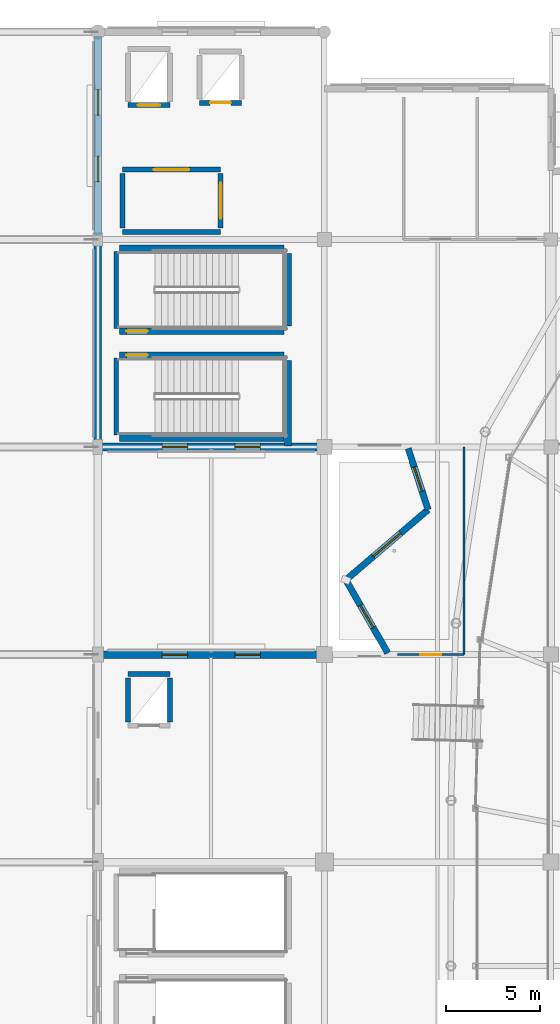
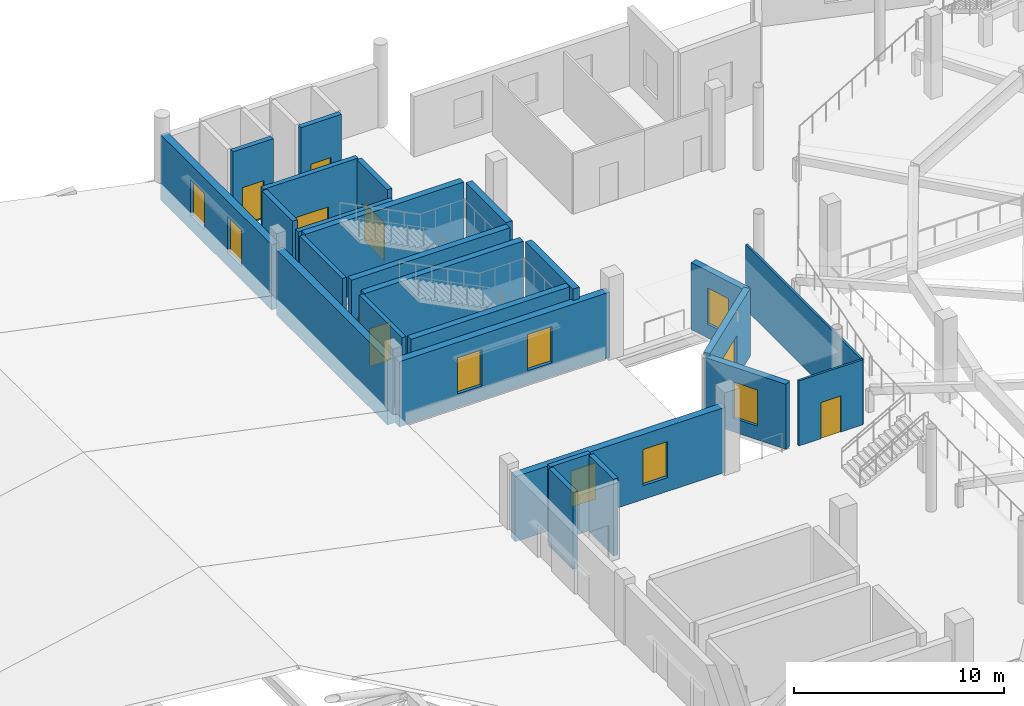
# One storey, part 54 of 77: 26 walls, 9 windows, 7 doors, 16 openings.
"""IFC4 building model written with IfcOpenShell, lengths in metres."""

from ifc_helpers import new_model, si_unit, direction, frame, frame_2d, origin, place, context, subcontext, project, spatial, rectangle, extrude, material, layer, layer_set, type_object, element, fill, save


model = new_model("IFC4")

# Units and contexts
model_context = context("Model", 3, precision=1e-05, world=origin(), true_north=direction((0.0, 1.0)))
body_context = subcontext(model_context, "Body", "Model", "MODEL_VIEW")
ifc_project = project(units=[si_unit("LENGTHUNIT", "METRE"), si_unit("AREAUNIT", "SQUARE_METRE"), si_unit("VOLUMEUNIT", "CUBIC_METRE"), si_unit("PLANEANGLEUNIT", "RADIAN"), si_unit("MASSUNIT", "GRAM", prefix="KILO")], contexts=[model_context])

# Site, building, storey
site_placement = place(None, origin())
site = spatial("IfcSite", under=ifc_project, at=site_placement, CompositionType="ELEMENT")
building_placement = place(site_placement, origin())
building = spatial("IfcBuilding", under=site, at=building_placement, Name="Luwafu Chhajja Arena", CompositionType="ELEMENT")
storey_placement = place(building_placement, frame((0.0, 0.0, 14.699951171875)))
storey = spatial("IfcBuildingStorey", under=building, at=storey_placement, Name="L03", CompositionType="ELEMENT", Elevation=14.699951171875)

# Wall, opening, door
ifc_material_1 = material(Name="Concrete C40/50", Category="concrete")
ifc_layer_1 = layer(ifc_material_1, 0.260009765625, Name="Concrete C40/50")
ifc_layer_set_1 = layer_set([ifc_layer_1], Name="Concrete C40/50")
wall_type_1 = type_object("IfcWallType", Name="Firefighting Lobby Wall 260", PredefinedType="SOLIDWALL", material=ifc_layer_set_1)
wall_1_placement = place(storey_placement, frame((35.300048828125, 91.699951171875, 0.0), z_axis=(0.0, 0.0, 1.0), x_axis=(1.0, 0.0, 0.0)))
wall_1 = element("IfcWall", 1, at=wall_1_placement, inside=storey, type_object=wall_type_1, Name="L03 Core C3 Firefighting Lobby Wall N", PredefinedType="SOLIDWALL", context=body_context, shape_type="SweptSolid", body=[
    extrude(rectangle(XDim=5.199951171875, YDim=0.260009765625, at=frame_2d((2.60009765625, 0.0))), origin(), (0.0, 0.0, 1.0), 4.4599609375),
])
opening_1_placement = place(wall_1_placement, frame((1.64990234375, 0.0, 0.0)))
opening_1 = element("IfcOpeningElement", 2, at=opening_1_placement, cuts=wall_1, Name="Opening DR-07", PredefinedType="OPENING", context=body_context, shape_type="SweptSolid", body=[
    extrude(rectangle(XDim=1.89990234375, YDim=2.199951171875, at=frame_2d((0.949951171875, 1.10009765625))), frame((0.0, 0.139892578125, 0.0), z_axis=(0.0, -1.0, 0.0), x_axis=(1.0, 0.0, 0.0)), (0.0, 0.0, 1.0), 0.280029296875),
])
ifc_material_2 = material(Name="Fire-rated hardwood and vision panel", Category="wood")
door_type_1 = type_object("IfcDoorType", Name="DR-07", OperationType="DOUBLE_DOOR_SINGLE_SWING", PredefinedType="DOOR", material=ifc_material_2)
door_1_placement = place(opening_1_placement, origin())
door_1 = element("IfcDoor", 3, at=door_1_placement, inside=storey, type_object=door_type_1, Name="L03 Firefighting Lobby C3 Door L03-D011", OperationType="DOUBLE_DOOR_SINGLE_SWING", OverallHeight=2.199951171875, OverallWidth=1.89990234375, PredefinedType="DOOR", context=body_context, shape_type="SweptSolid", body=[
    extrude(rectangle(XDim=1.89990234375, YDim=2.199951171875, at=frame_2d((0.949951171875, 1.10009765625))), frame((0.0, 0.02490234375, 0.0), z_axis=(0.0, -1.0, 0.0), x_axis=(1.0, 0.0, 0.0)), (0.0, 0.0, 1.0), 0.050048828125),
])
fill(opening_1, door_1)

# Walls
wall_2_placement = place(storey_placement, frame((35.300048828125, 88.39990234375, 0.0), z_axis=(0.0, 0.0, 1.0), x_axis=(1.0, 0.0, 0.0)))
element("IfcWall", 4, at=wall_2_placement, inside=storey, type_object=wall_type_1, Name="L03 Core C3 Firefighting Lobby Wall S", PredefinedType="SOLIDWALL", context=body_context, shape_type="SweptSolid", body=[
    extrude(rectangle(XDim=5.199951171875, YDim=0.260009765625, at=frame_2d((2.60009765625, 0.0))), origin(), (0.0, 0.0, 1.0), 3.989990234375),
])
wall_3_placement = place(storey_placement, frame((35.300048828125, 88.60009765625, 0.0), z_axis=(0.0, 0.0, 1.0), x_axis=(0.0, 1.0, 0.0)))
element("IfcWall", 5, at=wall_3_placement, inside=storey, type_object=wall_type_1, Name="L03 Core C3 Firefighting Lobby Wall W", PredefinedType="SOLIDWALL", context=body_context, shape_type="SweptSolid", body=[
    extrude(rectangle(XDim=2.89990234375, YDim=0.260009765625, at=frame_2d((1.449951171875, 0.0))), origin(), (0.0, 0.0, 1.0), 4.4599609375),
])

# Wall, opening, door
wall_4_placement = place(storey_placement, frame((40.5, 88.60009765625, 0.0), z_axis=(0.0, 0.0, 1.0), x_axis=(0.0, 1.0, 0.0)))
wall_4 = element("IfcWall", 6, at=wall_4_placement, inside=storey, type_object=wall_type_1, Name="L03 Core C3 Firefighting Lobby Wall E", PredefinedType="SOLIDWALL", context=body_context, shape_type="SweptSolid", body=[
    extrude(rectangle(XDim=2.89990234375, YDim=0.260009765625, at=frame_2d((1.449951171875, 0.0))), origin(), (0.0, 0.0, 1.0), 4.4599609375),
])
opening_2_placement = place(wall_4_placement, frame((0.5, 0.0, 0.0)))
opening_2 = element("IfcOpeningElement", 7, at=opening_2_placement, cuts=wall_4, Name="Opening DR-07", PredefinedType="OPENING", context=body_context, shape_type="SweptSolid", body=[
    extrude(rectangle(XDim=1.89990234375, YDim=2.199951171875, at=frame_2d((0.949951171875, 1.10009765625))), frame((0.0, 0.139892578125, 0.0), z_axis=(0.0, -1.0, 0.0), x_axis=(1.0, 0.0, 0.0)), (0.0, 0.0, 1.0), 0.280029296875),
])
door_2_placement = place(opening_2_placement, origin())
door_2 = element("IfcDoor", 8, at=door_2_placement, inside=storey, type_object=door_type_1, Name="L03 Firefighting Lobby C3 Door L03-D012", OperationType="DOUBLE_DOOR_SINGLE_SWING", OverallHeight=2.199951171875, OverallWidth=1.89990234375, PredefinedType="DOOR", context=body_context, shape_type="SweptSolid", body=[
    extrude(rectangle(XDim=1.89990234375, YDim=2.199951171875, at=frame_2d((0.949951171875, 1.10009765625))), frame((0.0, 0.02490234375, 0.0), z_axis=(0.0, -1.0, 0.0), x_axis=(1.0, 0.0, 0.0)), (0.0, 0.0, 1.0), 0.050048828125),
])
fill(opening_2, door_2)

ifc_material_3 = material(Name="Acoustic metal-stud gypsum board")
ifc_layer_2 = layer(ifc_material_3, 0.1201171875, Name="Acoustic metal-stud gypsum board")
ifc_layer_set_2 = layer_set([ifc_layer_2], Name="Acoustic metal-stud gypsum board")
wall_type_2 = type_object("IfcWallType", Name="Internal Room Partition 120", PredefinedType="PARTITIONING", material=ifc_layer_set_2)
wall_5_placement = place(storey_placement, frame((49.88330078125, 66.0, 0.0), z_axis=(0.0, 0.0, 1.0), x_axis=(1.0, 0.0, 0.0)))
wall_5 = element("IfcWall", 9, at=wall_5_placement, inside=storey, type_object=wall_type_2, Name="L03 Internal Partition 0292", PredefinedType="PARTITIONING", context=body_context, shape_type="SweptSolid", body=[
    extrude(rectangle(XDim=3.5166015625, YDim=0.1201171875, at=frame_2d((1.75830078125, 0.0))), origin(), (0.0, 0.0, 1.0), 3.77783203125),
])
opening_3_placement = place(wall_5_placement, frame((1.20849609375, 0.0, 0.0)))
opening_3 = element("IfcOpeningElement", 10, at=opening_3_placement, cuts=wall_5, Name="Opening DR-20", PredefinedType="OPENING", context=body_context, shape_type="SweptSolid", body=[
    extrude(rectangle(XDim=1.10009765625, YDim=2.10009765625, at=frame_2d((0.550048828125, 1.050048828125))), frame((0.0, 0.070068359375, 0.0), z_axis=(0.0, -1.0, 0.0), x_axis=(1.0, 0.0, 0.0)), (0.0, 0.0, 1.0), 0.14013671875),
])
ifc_material_4 = material(Name="Hygienic laminate single leaf")
door_type_2 = type_object("IfcDoorType", Name="DR-20", OperationType="NOTDEFINED", PredefinedType="DOOR", material=ifc_material_4)
door_3_placement = place(opening_3_placement, origin())
door_3 = element("IfcDoor", 11, at=door_3_placement, inside=storey, type_object=door_type_2, Name="L03 Interior Door L03-D021", OperationType="SINGLE_SWING_LEFT", OverallHeight=2.10009765625, OverallWidth=1.10009765625, PredefinedType="DOOR", context=body_context, shape_type="SweptSolid", body=[
    extrude(rectangle(XDim=1.10009765625, YDim=2.10009765625, at=frame_2d((0.550048828125, 1.050048828125))), frame((0.0, 0.02490234375, 0.0), z_axis=(0.0, -1.0, 0.0), x_axis=(1.0, 0.0, 0.0)), (0.0, 0.0, 1.0), 0.050048828125),
])
fill(opening_3, door_3)

# Wall
wall_6_placement = place(storey_placement, frame((53.39990234375, 66.0, 0.0), z_axis=(0.0, 0.0, 1.0), x_axis=(0.0, 1.0, 0.0)))
element("IfcWall", 12, at=wall_6_placement, inside=storey, type_object=wall_type_2, Name="L03 Internal Partition 0293", PredefinedType="PARTITIONING", context=body_context, shape_type="SweptSolid", body=[
    extrude(rectangle(XDim=11.0, YDim=0.1201171875, at=frame_2d((5.5, 0.0))), origin(), (0.0, 0.0, 1.0), 3.77783203125),
])

# Wall, opening, door
ifc_material_5 = material(Name="Concrete C35/45", Category="concrete")
ifc_layer_3 = layer(ifc_material_5, 0.260009765625, Name="Concrete C35/45")
ifc_layer_set_3 = layer_set([ifc_layer_3], Name="Concrete C35/45")
wall_type_3 = type_object("IfcWallType", Name="Lift and Riser Shaft Wall 260", PredefinedType="SOLIDWALL", material=ifc_layer_set_3)
wall_7_placement = place(storey_placement, frame((35.590087890625, 95.114990234375, 0.0), z_axis=(0.0, 0.0, 1.0), x_axis=(1.0, 0.0, 0.0)))
wall_7 = element("IfcWall", 13, at=wall_7_placement, inside=storey, type_object=wall_type_3, Name="L03 Lift LF-03 Shaft Wall S", PredefinedType="SOLIDWALL", context=body_context, shape_type="SweptSolid", body=[
    extrude(rectangle(XDim=2.219970703125, YDim=0.260009765625, at=frame_2d((1.10986328125, 0.0))), origin(), (0.0, 0.0, 1.0), 4.4599609375),
])
opening_4_placement = place(wall_7_placement, frame((0.510009765625, 0.0, 0.0)))
opening_4 = element("IfcOpeningElement", 14, at=opening_4_placement, cuts=wall_7, Name="Opening LD-02", PredefinedType="OPENING", context=body_context, shape_type="SweptSolid", body=[
    extrude(rectangle(XDim=1.199951171875, YDim=2.199951171875, at=frame_2d((0.60009765625, 1.10009765625))), frame((0.0, 0.139892578125, 0.0), z_axis=(0.0, -1.0, 0.0), x_axis=(1.0, 0.0, 0.0)), (0.0, 0.0, 1.0), 0.280029296875),
])
ifc_material_6 = material(Name="Brushed stainless steel sliding leaves", Category="steel")
door_type_3 = type_object("IfcDoorType", Name="LD-02", OperationType="SLIDING_TO_LEFT", PredefinedType="DOOR", material=ifc_material_6)
door_4_placement = place(opening_4_placement, origin())
door_4 = element("IfcDoor", 15, at=door_4_placement, inside=storey, type_object=door_type_3, Name="L03 Lift LF-03 Landing Door L03-LD05", OperationType="SLIDING_TO_LEFT", OverallHeight=2.199951171875, OverallWidth=1.199951171875, PredefinedType="DOOR", context=body_context, shape_type="SweptSolid", body=[
    extrude(rectangle(XDim=1.199951171875, YDim=2.199951171875, at=frame_2d((0.60009765625, 1.10009765625))), frame((0.0, 0.02490234375, 0.0), z_axis=(0.0, -1.0, 0.0), x_axis=(1.0, 0.0, 0.0)), (0.0, 0.0, 1.0), 0.050048828125),
])
fill(opening_4, door_4)

wall_8_placement = place(storey_placement, frame((39.389892578125, 95.239990234375, 0.0), z_axis=(0.0, 0.0, 1.0), x_axis=(1.0, 0.0, 0.0)))
wall_8 = element("IfcWall", 16, at=wall_8_placement, inside=storey, type_object=wall_type_3, Name="L03 Lift LF-07 Shaft Wall S", PredefinedType="SOLIDWALL", context=body_context, shape_type="SweptSolid", body=[
    extrude(rectangle(XDim=2.22021484375, YDim=0.260009765625, at=frame_2d((1.110107421875, 0.0))), origin(), (0.0, 0.0, 1.0), 4.4599609375),
])
opening_5_placement = place(wall_8_placement, frame((0.56005859375, 0.0, 0.0)))
opening_5 = element("IfcOpeningElement", 17, at=opening_5_placement, cuts=wall_8, Name="Opening LD-01", PredefinedType="OPENING", context=body_context, shape_type="SweptSolid", body=[
    extrude(rectangle(XDim=1.10009765625, YDim=2.14990234375, at=frame_2d((0.550048828125, 1.074951171875))), frame((0.0, 0.139892578125, 0.0), z_axis=(0.0, -1.0, 0.0), x_axis=(1.0, 0.0, 0.0)), (0.0, 0.0, 1.0), 0.280029296875),
])
door_type_4 = type_object("IfcDoorType", Name="LD-01", OperationType="SLIDING_TO_LEFT", PredefinedType="DOOR", material=ifc_material_6)
door_5_placement = place(opening_5_placement, origin())
door_5 = element("IfcDoor", 18, at=door_5_placement, inside=storey, type_object=door_type_4, Name="L03 Lift LF-07 Landing Door L03-LD06", OperationType="SLIDING_TO_LEFT", OverallHeight=2.14990234375, OverallWidth=1.10009765625, PredefinedType="DOOR", context=body_context, shape_type="SweptSolid", body=[
    extrude(rectangle(XDim=1.10009765625, YDim=2.14990234375, at=frame_2d((0.550048828125, 1.074951171875))), frame((0.0, 0.02490234375, 0.0), z_axis=(0.0, -1.0, 0.0), x_axis=(1.0, 0.0, 0.0)), (0.0, 0.0, 1.0), 0.050048828125),
])
fill(opening_5, door_5)

# Walls
wall_9_placement = place(storey_placement, frame((35.590087890625, 64.9599609375, 0.0), z_axis=(0.0, 0.0, 1.0), x_axis=(1.0, 0.0, 0.0)))
element("IfcWall", 19, at=wall_9_placement, inside=storey, type_object=wall_type_3, Name="L03 Lift LF-09 Shaft Wall N", PredefinedType="SOLIDWALL", context=body_context, shape_type="SweptSolid", body=[
    extrude(rectangle(XDim=2.219970703125, YDim=0.260009765625, at=frame_2d((1.10986328125, 0.0))), origin(), (0.0, 0.0, 1.0), 4.4599609375),
])
for number, where, z_axis, x_axis, name in (
    (20, (35.590087890625, 62.43994140625, 0.0), (0.0, 0.0, 1.0), (0.0, 1.0, 0.0), "L03 Lift LF-09 Shaft Wall W"),
    (21, (37.81005859375, 62.43994140625, 0.0), (0.0, 0.0, 1.0), (0.0, 1.0, 0.0), "L03 Lift LF-09 Shaft Wall E"),
):
    element("IfcWall", number, at=place(storey_placement, frame(where, z_axis=z_axis, x_axis=x_axis)), inside=storey, type_object=wall_type_3, Name=name, PredefinedType="SOLIDWALL", context=body_context, shape_type="SweptSolid", body=[
        extrude(rectangle(XDim=2.320068359375, YDim=0.260009765625, at=frame_2d((1.16015625, 0.0))), origin(), (0.0, 0.0, 1.0), 4.4599609375),
    ])

# Wall, opening, window
ifc_material_7 = material(Name="Precast concrete C40/50", Category="concrete")
ifc_layer_4 = layer(ifc_material_7, 0.340087890625, Name="Precast concrete C40/50")
ifc_layer_set_4 = layer_set([ifc_layer_4], Name="Precast concrete C40/50")
wall_type_4 = type_object("IfcWallType", Name="Pleated Bowl V-Fold Wall 340", PredefinedType="USERDEFINED", material=ifc_layer_set_4)
wall_10_placement = place(storey_placement, frame((50.437744140625, 76.919921875, 0.0), z_axis=(0.0, 0.0, 1.0), x_axis=(0.310230166493, -0.950661476972, 0.0)))
wall_10 = element("IfcWall", 22, at=wall_10_placement, inside=storey, type_object=wall_type_4, Name="L03 Pleated Bowl V-Fold Wall 27", ObjectType="PLEATED FACADE WALL", PredefinedType="USERDEFINED", context=body_context, shape_type="SweptSolid", body=[
    extrude(rectangle(XDim=3.41064453125, YDim=0.340087890625, at=frame_2d((1.705322265625, 0.0))), origin(), (0.0, 0.0, 1.0), 3.89013671875),
])
opening_6_placement = place(wall_10_placement, frame((1.0302734375, 0.0, 0.800048828125)))
opening_6 = element("IfcOpeningElement", 23, at=opening_6_placement, cuts=wall_10, Name="Opening WN-17", PredefinedType="OPENING", context=body_context, shape_type="SweptSolid", body=[
    extrude(rectangle(XDim=1.35009765625, YDim=2.10009765625, at=frame_2d((0.675048828125, 1.050048828125))), frame((0.0, 0.179931640625, 0.0), z_axis=(0.0, -1.0, 0.0), x_axis=(1.0, 0.0, 0.0)), (0.0, 0.0, 1.0), 0.360107421875),
])
ifc_material_8 = material(Name="Solar-control laminated glass", Category="glass")
window_type_1 = type_object("IfcWindowType", Name="Exhibition Mezzanine Lancet Window 1350x2100", PartitioningType="SINGLE_PANEL", PredefinedType="WINDOW", material=ifc_material_8)
window_1_placement = place(opening_6_placement, origin())
window_1 = element("IfcWindow", 24, at=window_1_placement, inside=storey, type_object=window_type_1, Name="L03 Pleated Bowl Lancet Window 054", OverallHeight=2.10009765625, OverallWidth=1.35009765625, PartitioningType="SINGLE_PANEL", PredefinedType="WINDOW", context=body_context, shape_type="SweptSolid", body=[
    extrude(rectangle(XDim=1.35009765625, YDim=2.10009765625, at=frame_2d((0.675048828125, 1.050048828125))), frame((0.0, 0.030029296875, 0.0), z_axis=(0.0, -1.0, 0.0), x_axis=(1.0, 0.0, 0.0)), (0.0, 0.0, 1.0), 0.06005859375),
])
fill(opening_6, window_1)

wall_11_placement = place(storey_placement, frame((51.495849609375, 73.677490234375, 0.0), z_axis=(0.0, 0.0, 1.0), x_axis=(-0.760445983194, -0.649401190824, 0.0)))
wall_11 = element("IfcWall", 25, at=wall_11_placement, inside=storey, type_object=wall_type_4, Name="L03 Pleated Bowl V-Fold Wall 28", ObjectType="PLEATED FACADE WALL", PredefinedType="USERDEFINED", context=body_context, shape_type="SweptSolid", body=[
    extrude(rectangle(XDim=5.731689453125, YDim=0.340087890625, at=frame_2d((2.86572265625, 0.0))), origin(), (0.0, 0.0, 1.0), 3.929931640625),
])
opening_7_placement = place(wall_11_placement, frame((1.916015625, 0.0, 0.85009765625)))
opening_7 = element("IfcOpeningElement", 26, at=opening_7_placement, cuts=wall_11, Name="Opening WN-15", PredefinedType="OPENING", context=body_context, shape_type="SweptSolid", body=[
    extrude(rectangle(XDim=1.89990234375, YDim=1.60009765625, at=frame_2d((0.949951171875, 0.800048828125))), frame((0.0, 0.179931640625, 0.0), z_axis=(0.0, -1.0, 0.0), x_axis=(1.0, 0.0, 0.0)), (0.0, 0.0, 1.0), 0.360107421875),
])
window_type_2 = type_object("IfcWindowType", Name="Pleated Drum Inward-Fold Clerestory 1900x1600", PartitioningType="SINGLE_PANEL", PredefinedType="WINDOW", material=ifc_material_8)
window_2_placement = place(opening_7_placement, origin())
window_2 = element("IfcWindow", 27, at=window_2_placement, inside=storey, type_object=window_type_2, Name="L03 Pleated Bowl Lancet Window 055", OverallHeight=1.60009765625, OverallWidth=1.89990234375, PartitioningType="SINGLE_PANEL", PredefinedType="WINDOW", context=body_context, shape_type="SweptSolid", body=[
    extrude(rectangle(XDim=1.89990234375, YDim=1.60009765625, at=frame_2d((0.949951171875, 0.800048828125))), frame((0.0, 0.030029296875, 0.0), z_axis=(0.0, -1.0, 0.0), x_axis=(1.0, 0.0, 0.0)), (0.0, 0.0, 1.0), 0.06005859375),
])
fill(opening_7, window_2)

wall_12_placement = place(storey_placement, frame((47.13720703125, 69.955322265625, 0.0), z_axis=(0.0, 0.0, 1.0), x_axis=(0.497198154983, -0.867637017814, 0.0)))
wall_12 = element("IfcWall", 28, at=wall_12_placement, inside=storey, type_object=wall_type_4, Name="L03 Pleated Bowl V-Fold Wall 29", ObjectType="PLEATED FACADE WALL", PredefinedType="USERDEFINED", context=body_context, shape_type="SweptSolid", body=[
    extrude(rectangle(XDim=4.466552734375, YDim=0.340087890625, at=frame_2d((2.2333984375, 0.0))), origin(), (0.0, 0.0, 1.0), 3.77783203125),
])
opening_8_placement = place(wall_12_placement, frame((1.558349609375, 0.0, 0.800048828125)))
opening_8 = element("IfcOpeningElement", 29, at=opening_8_placement, cuts=wall_12, Name="Opening WN-17", PredefinedType="OPENING", context=body_context, shape_type="SweptSolid", body=[
    extrude(rectangle(XDim=1.35009765625, YDim=2.10009765625, at=frame_2d((0.675048828125, 1.050048828125))), frame((0.0, 0.179931640625, 0.0), z_axis=(0.0, -1.0, 0.0), x_axis=(1.0, 0.0, 0.0)), (0.0, 0.0, 1.0), 0.360107421875),
])
window_3_placement = place(opening_8_placement, origin())
window_3 = element("IfcWindow", 30, at=window_3_placement, inside=storey, type_object=window_type_1, Name="L03 Pleated Bowl Lancet Window 056", OverallHeight=2.10009765625, OverallWidth=1.35009765625, PartitioningType="SINGLE_PANEL", PredefinedType="WINDOW", context=body_context, shape_type="SweptSolid", body=[
    extrude(rectangle(XDim=1.35009765625, YDim=2.10009765625, at=frame_2d((0.675048828125, 1.050048828125))), frame((0.0, 0.030029296875, 0.0), z_axis=(0.0, -1.0, 0.0), x_axis=(1.0, 0.0, 0.0)), (0.0, 0.0, 1.0), 0.06005859375),
])
fill(opening_8, window_3)

# Walls
ifc_layer_5 = layer(ifc_material_1, 0.35009765625, Name="Concrete C40/50")
ifc_layer_set_5 = layer_set([ifc_layer_5], Name="Concrete C40/50")
wall_type_5 = type_object("IfcWallType", Name="RC Core Shear Wall 350", PredefinedType="SOLIDWALL", material=ifc_layer_set_5)
wall_13_placement = place(storey_placement, frame((44.072021484375, 77.050048828125, 0.0), z_axis=(0.0, 0.0, 1.0), x_axis=(0.0, 1.0, 0.0)))
element("IfcWall", 31, at=wall_13_placement, inside=storey, type_object=wall_type_5, Name="L03 Stair ST-05 Core Shear Wall E", PredefinedType="SOLIDWALL", context=body_context, shape_type="SweptSolid", body=[
    extrude(rectangle(XDim=4.5400390625, YDim=0.35009765625, at=frame_2d((2.27001953125, 0.0))), origin(), (0.0, 0.0, 1.0), 4.4599609375),
])
wall_14_placement = place(storey_placement, frame((35.14990234375, 77.47802734375, 0.0), z_axis=(0.0, 0.0, 1.0), x_axis=(1.0, 0.0, 0.0)))
element("IfcWall", 32, at=wall_14_placement, inside=storey, type_object=wall_type_5, Name="L03 Stair ST-05 Core Shear Wall S", PredefinedType="SOLIDWALL", context=body_context, shape_type="SweptSolid", body=[
    extrude(rectangle(XDim=8.7001953125, YDim=0.35009765625, at=frame_2d((4.35009765625, 0.0))), origin(), (0.0, 0.0, 1.0), 4.4599609375),
])

# Wall, opening, door
wall_15_placement = place(storey_placement, frame((35.14990234375, 81.862060546875, 0.0), z_axis=(0.0, 0.0, 1.0), x_axis=(1.0, 0.0, 0.0)))
wall_15 = element("IfcWall", 33, at=wall_15_placement, inside=storey, type_object=wall_type_5, Name="L03 Stair ST-05 Core Shear Wall N", PredefinedType="SOLIDWALL", context=body_context, shape_type="SweptSolid", body=[
    extrude(rectangle(XDim=8.7001953125, YDim=0.35009765625, at=frame_2d((4.35009765625, 0.0))), origin(), (0.0, 0.0, 1.0), 4.4599609375),
])
opening_9_placement = place(wall_15_placement, frame((0.35009765625, 0.0, 0.0)))
opening_9 = element("IfcOpeningElement", 34, at=opening_9_placement, cuts=wall_15, Name="Opening DR-06", PredefinedType="OPENING", context=body_context, shape_type="SweptSolid", body=[
    extrude(rectangle(XDim=1.14990234375, YDim=2.199951171875, at=frame_2d((0.574951171875, 1.10009765625))), frame((0.0, 0.18505859375, 0.0), z_axis=(0.0, -1.0, 0.0), x_axis=(1.0, 0.0, 0.0)), (0.0, 0.0, 1.0), 0.3701171875),
])
ifc_material_9 = material(Name="Fire-rated hardwood and steel core", Category="steel")
door_type_5 = type_object("IfcDoorType", Name="DR-06", OperationType="NOTDEFINED", PredefinedType="DOOR", material=ifc_material_9)
door_6_placement = place(opening_9_placement, origin())
door_6 = element("IfcDoor", 35, at=door_6_placement, inside=storey, type_object=door_type_5, Name="L03 Escape Stair ST-05 Fire Door L03-D009", OperationType="SINGLE_SWING_RIGHT", OverallHeight=2.199951171875, OverallWidth=1.14990234375, PredefinedType="DOOR", context=body_context, shape_type="SweptSolid", body=[
    extrude(rectangle(XDim=1.14990234375, YDim=2.199951171875, at=frame_2d((0.574951171875, 1.10009765625))), frame((0.0, 0.02490234375, 0.0), z_axis=(0.0, -1.0, 0.0), x_axis=(1.0, 0.0, 0.0)), (0.0, 0.0, 1.0), 0.050048828125),
])
fill(opening_9, door_6)

# Wall
wall_16_placement = place(storey_placement, frame((44.072021484375, 83.409912109375, 0.0), z_axis=(0.0, 0.0, 1.0), x_axis=(0.0, 1.0, 0.0)))
element("IfcWall", 36, at=wall_16_placement, inside=storey, type_object=wall_type_5, Name="L03 Stair ST-06 Core Shear Wall E", PredefinedType="SOLIDWALL", context=body_context, shape_type="SweptSolid", body=[
    extrude(rectangle(XDim=3.840087890625, YDim=0.35009765625, at=frame_2d((1.919921875, 0.0))), origin(), (0.0, 0.0, 1.0), 4.4599609375),
])

# Wall, opening, door
wall_17_placement = place(storey_placement, frame((35.14990234375, 83.137939453125, 0.0), z_axis=(0.0, 0.0, 1.0), x_axis=(1.0, 0.0, 0.0)))
wall_17 = element("IfcWall", 37, at=wall_17_placement, inside=storey, type_object=wall_type_5, Name="L03 Stair ST-06 Core Shear Wall S", PredefinedType="SOLIDWALL", context=body_context, shape_type="SweptSolid", body=[
    extrude(rectangle(XDim=8.7001953125, YDim=0.35009765625, at=frame_2d((4.35009765625, 0.0))), origin(), (0.0, 0.0, 1.0), 4.4599609375),
])
opening_10_placement = place(wall_17_placement, frame((0.35009765625, 0.0, 0.0)))
opening_10 = element("IfcOpeningElement", 38, at=opening_10_placement, cuts=wall_17, Name="Opening DR-06", PredefinedType="OPENING", context=body_context, shape_type="SweptSolid", body=[
    extrude(rectangle(XDim=1.14990234375, YDim=2.199951171875, at=frame_2d((0.574951171875, 1.10009765625))), frame((0.0, 0.18505859375, 0.0), z_axis=(0.0, -1.0, 0.0), x_axis=(1.0, 0.0, 0.0)), (0.0, 0.0, 1.0), 0.3701171875),
])
door_7_placement = place(opening_10_placement, origin())
door_7 = element("IfcDoor", 39, at=door_7_placement, inside=storey, type_object=door_type_5, Name="L03 Escape Stair ST-06 Fire Door L03-D010", OperationType="SINGLE_SWING_LEFT", OverallHeight=2.199951171875, OverallWidth=1.14990234375, PredefinedType="DOOR", context=body_context, shape_type="SweptSolid", body=[
    extrude(rectangle(XDim=1.14990234375, YDim=2.199951171875, at=frame_2d((0.574951171875, 1.10009765625))), frame((0.0, 0.02490234375, 0.0), z_axis=(0.0, -1.0, 0.0), x_axis=(1.0, 0.0, 0.0)), (0.0, 0.0, 1.0), 0.050048828125),
])
fill(opening_10, door_7)

# Wall
wall_18_placement = place(storey_placement, frame((35.14990234375, 87.52197265625, 0.0), z_axis=(0.0, 0.0, 1.0), x_axis=(1.0, 0.0, 0.0)))
element("IfcWall", 40, at=wall_18_placement, inside=storey, type_object=wall_type_5, Name="L03 Stair ST-06 Core Shear Wall N", PredefinedType="SOLIDWALL", context=body_context, shape_type="SweptSolid", body=[
    extrude(rectangle(XDim=8.7001953125, YDim=0.35009765625, at=frame_2d((4.35009765625, 0.0))), origin(), (0.0, 0.0, 1.0), 4.4599609375),
])

# Wall, openings, windows
ifc_layer_6 = layer(ifc_material_1, 0.39990234375, Name="Concrete C40/50")
ifc_layer_set_6 = layer_set([ifc_layer_6], Name="Concrete C40/50")
wall_type_6 = type_object("IfcWallType", Name="RC Core Shear Wall 400", PredefinedType="SOLIDWALL", material=ifc_layer_set_6)
wall_19_placement = place(storey_placement, frame((34.219970703125, 66.0, 0.0), z_axis=(0.0, 0.0, 1.0), x_axis=(1.0, 0.0, 0.0)))
wall_19 = element("IfcWall", 41, at=wall_19_placement, inside=storey, type_object=wall_type_6, Name="L03 Exterior Wall WEX-L03-186", PredefinedType="SOLIDWALL", context=body_context, shape_type="SweptSolid", body=[
    extrude(rectangle(XDim=11.56005859375, YDim=0.39990234375, at=frame_2d((5.780029296875, 0.0))), origin(), (0.0, 0.0, 1.0), 3.77783203125),
])
opening_11_placement = place(wall_19_placement, frame((3.17822265625, 0.0, 0.800048828125)))
opening_11 = element("IfcOpeningElement", 42, at=opening_11_placement, cuts=wall_19, Name="Opening WN-17", PredefinedType="OPENING", context=body_context, shape_type="SweptSolid", body=[
    extrude(rectangle(XDim=1.35009765625, YDim=2.10009765625, at=frame_2d((0.675048828125, 1.050048828125))), frame((0.0, 0.2099609375, 0.0), z_axis=(0.0, -1.0, 0.0), x_axis=(1.0, 0.0, 0.0)), (0.0, 0.0, 1.0), 0.419921875),
])
opening_12_placement = place(wall_19_placement, frame((7.03173828125, 0.0, 0.800048828125)))
opening_12 = element("IfcOpeningElement", 43, at=opening_12_placement, cuts=wall_19, Name="Opening WN-17", PredefinedType="OPENING", context=body_context, shape_type="SweptSolid", body=[
    extrude(rectangle(XDim=1.35009765625, YDim=2.10009765625, at=frame_2d((0.675048828125, 1.050048828125))), frame((0.0, 0.2099609375, 0.0), z_axis=(0.0, -1.0, 0.0), x_axis=(1.0, 0.0, 0.0)), (0.0, 0.0, 1.0), 0.419921875),
])
window_4_placement = place(opening_11_placement, origin())
window_4 = element("IfcWindow", 44, at=window_4_placement, inside=storey, type_object=window_type_1, Name="L03 Facade Window 128", OverallHeight=2.10009765625, OverallWidth=1.35009765625, PartitioningType="SINGLE_PANEL", PredefinedType="WINDOW", context=body_context, shape_type="SweptSolid", body=[
    extrude(rectangle(XDim=1.35009765625, YDim=2.10009765625, at=frame_2d((0.675048828125, 1.050048828125))), frame((0.0, 0.030029296875, 0.0), z_axis=(0.0, -1.0, 0.0), x_axis=(1.0, 0.0, 0.0)), (0.0, 0.0, 1.0), 0.06005859375),
])
fill(opening_11, window_4)
window_5_placement = place(opening_12_placement, origin())
window_5 = element("IfcWindow", 45, at=window_5_placement, inside=storey, type_object=window_type_1, Name="L03 Facade Window 129", OverallHeight=2.10009765625, OverallWidth=1.35009765625, PartitioningType="SINGLE_PANEL", PredefinedType="WINDOW", context=body_context, shape_type="SweptSolid", body=[
    extrude(rectangle(XDim=1.35009765625, YDim=2.10009765625, at=frame_2d((0.675048828125, 1.050048828125))), frame((0.0, 0.030029296875, 0.0), z_axis=(0.0, -1.0, 0.0), x_axis=(1.0, 0.0, 0.0)), (0.0, 0.0, 1.0), 0.06005859375),
])
fill(opening_12, window_5)

wall_20_placement = place(storey_placement, frame((34.219970703125, 77.0, 0.0), z_axis=(0.0, 0.0, 1.0), x_axis=(1.0, 0.0, 0.0)))
wall_20 = element("IfcWall", 46, at=wall_20_placement, inside=storey, type_object=wall_type_6, Name="L03 Exterior Wall WEX-L03-188", PredefinedType="SOLIDWALL", context=body_context, shape_type="SweptSolid", body=[
    extrude(rectangle(XDim=11.56005859375, YDim=0.39990234375, at=frame_2d((5.780029296875, 0.0))), origin(), (0.0, 0.0, 1.0), 3.7900390625),
])
opening_13_placement = place(wall_20_placement, frame((3.17822265625, 0.0, 0.800048828125)))
opening_13 = element("IfcOpeningElement", 47, at=opening_13_placement, cuts=wall_20, Name="Opening WN-17", PredefinedType="OPENING", context=body_context, shape_type="SweptSolid", body=[
    extrude(rectangle(XDim=1.35009765625, YDim=2.10009765625, at=frame_2d((0.675048828125, 1.050048828125))), frame((0.0, 0.2099609375, 0.0), z_axis=(0.0, -1.0, 0.0), x_axis=(1.0, 0.0, 0.0)), (0.0, 0.0, 1.0), 0.419921875),
])
opening_14_placement = place(wall_20_placement, frame((7.03173828125, 0.0, 0.800048828125)))
opening_14 = element("IfcOpeningElement", 48, at=opening_14_placement, cuts=wall_20, Name="Opening WN-17", PredefinedType="OPENING", context=body_context, shape_type="SweptSolid", body=[
    extrude(rectangle(XDim=1.35009765625, YDim=2.10009765625, at=frame_2d((0.675048828125, 1.050048828125))), frame((0.0, 0.2099609375, 0.0), z_axis=(0.0, -1.0, 0.0), x_axis=(1.0, 0.0, 0.0)), (0.0, 0.0, 1.0), 0.419921875),
])
window_6_placement = place(opening_13_placement, origin())
window_6 = element("IfcWindow", 49, at=window_6_placement, inside=storey, type_object=window_type_1, Name="L03 Facade Window 132", OverallHeight=2.10009765625, OverallWidth=1.35009765625, PartitioningType="SINGLE_PANEL", PredefinedType="WINDOW", context=body_context, shape_type="SweptSolid", body=[
    extrude(rectangle(XDim=1.35009765625, YDim=2.10009765625, at=frame_2d((0.675048828125, 1.050048828125))), frame((0.0, 0.030029296875, 0.0), z_axis=(0.0, -1.0, 0.0), x_axis=(1.0, 0.0, 0.0)), (0.0, 0.0, 1.0), 0.06005859375),
])
fill(opening_13, window_6)
window_7_placement = place(opening_14_placement, origin())
window_7 = element("IfcWindow", 50, at=window_7_placement, inside=storey, type_object=window_type_1, Name="L03 Facade Window 133", OverallHeight=2.10009765625, OverallWidth=1.35009765625, PartitioningType="SINGLE_PANEL", PredefinedType="WINDOW", context=body_context, shape_type="SweptSolid", body=[
    extrude(rectangle(XDim=1.35009765625, YDim=2.10009765625, at=frame_2d((0.675048828125, 1.050048828125))), frame((0.0, 0.030029296875, 0.0), z_axis=(0.0, -1.0, 0.0), x_axis=(1.0, 0.0, 0.0)), (0.0, 0.0, 1.0), 0.06005859375),
])
fill(opening_14, window_7)

# Wall
wall_21_placement = place(storey_placement, frame((34.0, 77.219970703125, 0.0), z_axis=(0.0, 0.0, 1.0), x_axis=(0.0, 1.0, 0.0)))
element("IfcWall", 51, at=wall_21_placement, inside=storey, type_object=wall_type_6, Name="L03 Exterior Wall WEX-L03-189", PredefinedType="SOLIDWALL", context=body_context, shape_type="SweptSolid", body=[
    extrude(rectangle(XDim=10.56005859375, YDim=0.39990234375, at=frame_2d((5.280029296875, 0.0))), origin(), (0.0, 0.0, 1.0), 3.7900390625),
])

# Wall, openings, windows
wall_22_placement = place(storey_placement, frame((34.0, 88.219970703125, 0.0), z_axis=(0.0, 0.0, 1.0), x_axis=(0.0, 1.0, 0.0)))
wall_22 = element("IfcWall", 52, at=wall_22_placement, inside=storey, type_object=wall_type_6, Name="L03 Exterior Wall WEX-L03-191", PredefinedType="SOLIDWALL", context=body_context, shape_type="SweptSolid", body=[
    extrude(rectangle(XDim=10.56005859375, YDim=0.39990234375, at=frame_2d((5.280029296875, 0.0))), origin(), (0.0, 0.0, 1.0), 3.7900390625),
])
opening_15_placement = place(wall_22_placement, frame((2.844970703125, 0.0, 0.800048828125)))
opening_15 = element("IfcOpeningElement", 53, at=opening_15_placement, cuts=wall_22, Name="Opening WN-17", PredefinedType="OPENING", context=body_context, shape_type="SweptSolid", body=[
    extrude(rectangle(XDim=1.35009765625, YDim=2.10009765625, at=frame_2d((0.675048828125, 1.050048828125))), frame((0.0, 0.2099609375, 0.0), z_axis=(0.0, -1.0, 0.0), x_axis=(1.0, 0.0, 0.0)), (0.0, 0.0, 1.0), 0.419921875),
])
opening_16_placement = place(wall_22_placement, frame((6.364990234375, 0.0, 0.800048828125)))
opening_16 = element("IfcOpeningElement", 54, at=opening_16_placement, cuts=wall_22, Name="Opening WN-17", PredefinedType="OPENING", context=body_context, shape_type="SweptSolid", body=[
    extrude(rectangle(XDim=1.35009765625, YDim=2.10009765625, at=frame_2d((0.675048828125, 1.050048828125))), frame((0.0, 0.2099609375, 0.0), z_axis=(0.0, -1.0, 0.0), x_axis=(1.0, 0.0, 0.0)), (0.0, 0.0, 1.0), 0.419921875),
])
window_8_placement = place(opening_15_placement, origin())
window_8 = element("IfcWindow", 55, at=window_8_placement, inside=storey, type_object=window_type_1, Name="L03 Facade Window 136", OverallHeight=2.10009765625, OverallWidth=1.35009765625, PartitioningType="SINGLE_PANEL", PredefinedType="WINDOW", context=body_context, shape_type="SweptSolid", body=[
    extrude(rectangle(XDim=1.35009765625, YDim=2.10009765625, at=frame_2d((0.675048828125, 1.050048828125))), frame((0.0, 0.030029296875, 0.0), z_axis=(0.0, -1.0, 0.0), x_axis=(1.0, 0.0, 0.0)), (0.0, 0.0, 1.0), 0.06005859375),
])
fill(opening_15, window_8)
window_9_placement = place(opening_16_placement, origin())
window_9 = element("IfcWindow", 56, at=window_9_placement, inside=storey, type_object=window_type_1, Name="L03 Facade Window 137", OverallHeight=2.10009765625, OverallWidth=1.35009765625, PartitioningType="SINGLE_PANEL", PredefinedType="WINDOW", context=body_context, shape_type="SweptSolid", body=[
    extrude(rectangle(XDim=1.35009765625, YDim=2.10009765625, at=frame_2d((0.675048828125, 1.050048828125))), frame((0.0, 0.030029296875, 0.0), z_axis=(0.0, -1.0, 0.0), x_axis=(1.0, 0.0, 0.0)), (0.0, 0.0, 1.0), 0.06005859375),
])
fill(opening_16, window_9)

# Walls
ifc_layer_7 = layer(ifc_material_5, 0.22998046875, Name="Concrete C35/45")
ifc_layer_set_7 = layer_set([ifc_layer_7], Name="Concrete C35/45")
wall_type_7 = type_object("IfcWallType", Name="Stair Enclosure Wall 230", PredefinedType="SOLIDWALL", material=ifc_layer_set_7)
for number, where, z_axis, x_axis, name in (
    (57, (34.9599609375, 77.6298828125, 0.0), (0.0, 0.0, 1.0), (0.0, 1.0, 0.0), "L03 Stair ST-05 Enclosure Wall W"),
    (58, (34.9599609375, 83.2900390625, 0.0), (0.0, 0.0, 1.0), (0.0, 1.0, 0.0), "L03 Stair ST-06 Enclosure Wall W"),
):
    element("IfcWall", number, at=place(storey_placement, frame(where, z_axis=z_axis, x_axis=x_axis)), inside=storey, type_object=wall_type_7, Name=name, PredefinedType="SOLIDWALL", context=body_context, shape_type="SweptSolid", body=[
        extrude(rectangle(XDim=4.080078125, YDim=0.22998046875, at=frame_2d((2.0400390625, 0.0))), origin(), (0.0, 0.0, 1.0), 4.4599609375),
    ])

save(model, "model.ifc")
